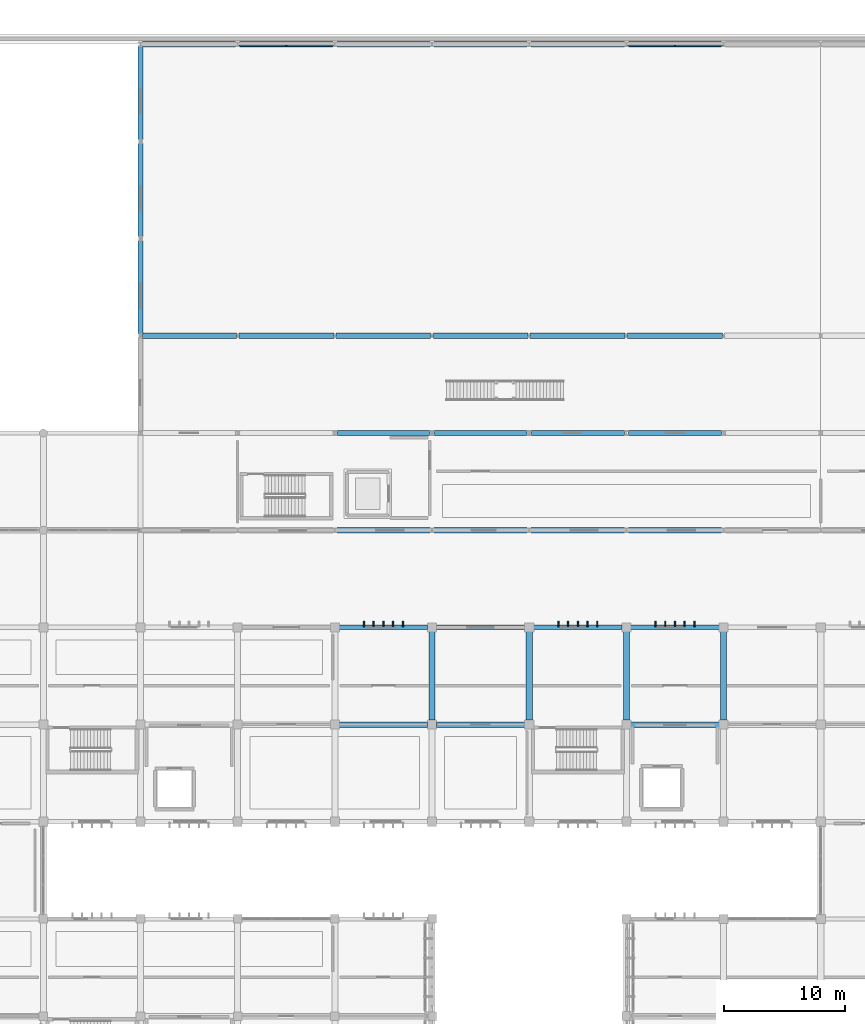
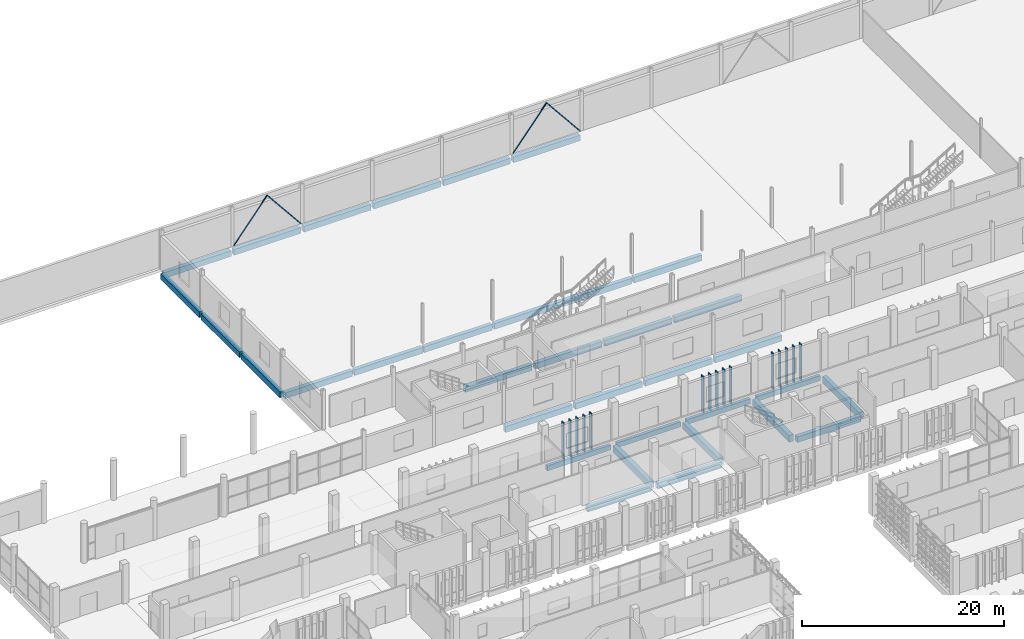
# One storey, part 56 of 117: 34 beams, 19 members.
"""IFC4 building model written with IfcOpenShell, lengths in metres."""

from ifc_helpers import new_model, si_unit, direction, frame, origin, origin_2d, place, context, subcontext, project, spatial, rectangle, hollow_rectangle, extrude, material, material_profile, profile_set, type_object, element, save


model = new_model("IFC4")

# Units and contexts
model_context = context("Model", 3, precision=1e-05, world=origin(), true_north=direction((0.0, 1.0)))
body_context = subcontext(model_context, "Body", "Model", "MODEL_VIEW")
ifc_project = project(units=[si_unit("LENGTHUNIT", "METRE"), si_unit("AREAUNIT", "SQUARE_METRE"), si_unit("VOLUMEUNIT", "CUBIC_METRE"), si_unit("PLANEANGLEUNIT", "RADIAN"), si_unit("MASSUNIT", "GRAM", prefix="KILO")], contexts=[model_context])

# Site, building, storey
site_placement = place(None, origin())
site = spatial("IfcSite", under=ifc_project, at=site_placement, CompositionType="ELEMENT")
building_placement = place(site_placement, origin())
building = spatial("IfcBuilding", under=site, at=building_placement, Name="Jelvoka-Kovrelna Polytechnic", CompositionType="ELEMENT")
storey_placement = place(building_placement, origin())
storey = spatial("IfcBuildingStorey", under=building, at=storey_placement, Name="L01", CompositionType="ELEMENT", Elevation=0.0)

# Beams
ifc_material_1 = material(Name="Concrete C40/50", Category="concrete")
ifc_material_profile_1 = material_profile(ifc_material_1, rectangle(XDim=0.449951171875, YDim=0.699951171875, at=origin_2d()), Name="RC 450x700")
ifc_profile_set_1 = profile_set([ifc_material_profile_1], Name="Concrete C40/50")
beam_type_1 = type_object("IfcBeamType", Name="Beam_RC_450x700", PredefinedType="BEAM", material=ifc_profile_set_1)
beam_1_placement = place(storey_placement, frame((88.164306640625, 96.0, -0.760009765625), z_axis=(1.0, 0.0, 0.0), x_axis=(0.0, 1.0, 0.0)))
element("IfcBeam", 1, at=beam_1_placement, inside=storey, type_object=beam_type_1, Name="L01 beam 0003", PredefinedType="BEAM", context=body_context, shape_type="SweptSolid", body=[
    extrude(rectangle(XDim=0.449951171875, YDim=0.699951171875, at=origin_2d()), origin(), (0.0, 0.0, 1.0), 7.728271484375),
])
beam_2_placement = place(storey_placement, frame((88.164306640625, 120.0, -0.760009765625), z_axis=(1.0, 0.0, 0.0), x_axis=(0.0, 1.0, 0.0)))
element("IfcBeam", 2, at=beam_2_placement, inside=storey, type_object=beam_type_1, Name="L01 beam 0004", PredefinedType="BEAM", context=body_context, shape_type="SweptSolid", body=[
    extrude(rectangle(XDim=0.449951171875, YDim=0.699951171875, at=origin_2d()), origin(), (0.0, 0.0, 1.0), 7.67138671875),
])
beam_3_placement = place(storey_placement, frame((96.107421875, 96.0, -0.760009765625), z_axis=(1.0, 0.0, 0.0), x_axis=(0.0, 1.0, 0.0)))
element("IfcBeam", 3, at=beam_3_placement, inside=storey, type_object=beam_type_1, Name="L01 beam 0008", PredefinedType="BEAM", context=body_context, shape_type="SweptSolid", body=[
    extrude(rectangle(XDim=0.449951171875, YDim=0.699951171875, at=origin_2d()), origin(), (0.0, 0.0, 1.0), 7.8095703125),
])
for number, where, z_axis, x_axis, name in (
    (4, (96.164306640625, 120.0, -0.760009765625), (1.0, 0.0, 0.0), (0.0, 1.0, 0.0), "L01 beam 0009"),
    (5, (104.164306640625, 80.0, -0.760009765625), (1.0, 0.0, 0.0), (0.0, 1.0, 0.0), "L01 beam 0011"),
    (6, (104.164306640625, 88.0, -0.760009765625), (1.0, 0.0, 0.0), (0.0, 1.0, 0.0), "L01 beam 0012"),
):
    element("IfcBeam", number, at=place(storey_placement, frame(where, z_axis=z_axis, x_axis=x_axis)), inside=storey, type_object=beam_type_1, Name=name, PredefinedType="BEAM", context=body_context, shape_type="SweptSolid", body=[
        extrude(rectangle(XDim=0.449951171875, YDim=0.699951171875, at=origin_2d()), origin(), (0.0, 0.0, 1.0), 7.67138671875),
    ])
beam_4_placement = place(storey_placement, frame((104.0830078125, 96.0, -0.760009765625), z_axis=(1.0, 0.0, 0.0), x_axis=(0.0, 1.0, 0.0)))
element("IfcBeam", 7, at=beam_4_placement, inside=storey, type_object=beam_type_1, Name="L01 beam 0013", PredefinedType="BEAM", context=body_context, shape_type="SweptSolid", body=[
    extrude(rectangle(XDim=0.449951171875, YDim=0.699951171875, at=origin_2d()), origin(), (0.0, 0.0, 1.0), 7.8095703125),
])
for number, where, z_axis, x_axis, name in (
    (8, (104.164306640625, 120.0, -0.760009765625), (1.0, 0.0, 0.0), (0.0, 1.0, 0.0), "L01 beam 0014"),
    (9, (112.164306640625, 80.0, -0.760009765625), (1.0, 0.0, 0.0), (0.0, 1.0, 0.0), "L01 beam 0016"),
    (10, (112.164306640625, 88.0, -0.760009765625), (1.0, 0.0, 0.0), (0.0, 1.0, 0.0), "L01 beam 0017"),
):
    element("IfcBeam", number, at=place(storey_placement, frame(where, z_axis=z_axis, x_axis=x_axis)), inside=storey, type_object=beam_type_1, Name=name, PredefinedType="BEAM", context=body_context, shape_type="SweptSolid", body=[
        extrude(rectangle(XDim=0.449951171875, YDim=0.699951171875, at=origin_2d()), origin(), (0.0, 0.0, 1.0), 7.67138671875),
    ])
beam_5_placement = place(storey_placement, frame((112.107421875, 96.0, -0.760009765625), z_axis=(1.0, 0.0, 0.0), x_axis=(0.0, 1.0, 0.0)))
element("IfcBeam", 11, at=beam_5_placement, inside=storey, type_object=beam_type_1, Name="L01 beam 0018", PredefinedType="BEAM", context=body_context, shape_type="SweptSolid", body=[
    extrude(rectangle(XDim=0.449951171875, YDim=0.699951171875, at=origin_2d()), origin(), (0.0, 0.0, 1.0), 7.8095703125),
])
for number, where, z_axis, x_axis, name in (
    (12, (112.164306640625, 120.0, -0.760009765625), (1.0, 0.0, 0.0), (0.0, 1.0, 0.0), "L01 beam 0019"),
    (13, (120.164306640625, 80.0, -0.760009765625), (1.0, 0.0, 0.0), (0.0, 1.0, 0.0), "L01 beam 0021"),
    (14, (120.164306640625, 88.0, -0.760009765625), (1.0, 0.0, 0.0), (0.0, 1.0, 0.0), "L01 beam 0022"),
):
    element("IfcBeam", number, at=place(storey_placement, frame(where, z_axis=z_axis, x_axis=x_axis)), inside=storey, type_object=beam_type_1, Name=name, PredefinedType="BEAM", context=body_context, shape_type="SweptSolid", body=[
        extrude(rectangle(XDim=0.449951171875, YDim=0.699951171875, at=origin_2d()), origin(), (0.0, 0.0, 1.0), 7.67138671875),
    ])
beam_6_placement = place(storey_placement, frame((120.0830078125, 96.0, -0.760009765625), z_axis=(1.0, 0.0, 0.0), x_axis=(0.0, 1.0, 0.0)))
element("IfcBeam", 15, at=beam_6_placement, inside=storey, type_object=beam_type_1, Name="L01 beam 0023", PredefinedType="BEAM", context=body_context, shape_type="SweptSolid", body=[
    extrude(rectangle(XDim=0.449951171875, YDim=0.699951171875, at=origin_2d()), origin(), (0.0, 0.0, 1.0), 7.8095703125),
])
for number, where, z_axis, x_axis, name in (
    (16, (120.164306640625, 120.0, -0.760009765625), (1.0, 0.0, 0.0), (0.0, 1.0, 0.0), "L01 beam 0024"),
    (17, (128.164306640625, 80.0, -0.760009765625), (1.0, 0.0, 0.0), (0.0, 1.0, 0.0), "L01 beam 0026"),
    (18, (128.164306640625, 88.0, -0.760009765625), (1.0, 0.0, 0.0), (0.0, 1.0, 0.0), "L01 beam 0027"),
):
    element("IfcBeam", number, at=place(storey_placement, frame(where, z_axis=z_axis, x_axis=x_axis)), inside=storey, type_object=beam_type_1, Name=name, PredefinedType="BEAM", context=body_context, shape_type="SweptSolid", body=[
        extrude(rectangle(XDim=0.449951171875, YDim=0.699951171875, at=origin_2d()), origin(), (0.0, 0.0, 1.0), 7.67138671875),
    ])
beam_7_placement = place(storey_placement, frame((128.107421875, 96.0, -0.760009765625), z_axis=(1.0, 0.0, 0.0), x_axis=(0.0, 1.0, 0.0)))
element("IfcBeam", 19, at=beam_7_placement, inside=storey, type_object=beam_type_1, Name="L01 beam 0028", PredefinedType="BEAM", context=body_context, shape_type="SweptSolid", body=[
    extrude(rectangle(XDim=0.449951171875, YDim=0.699951171875, at=origin_2d()), origin(), (0.0, 0.0, 1.0), 7.8095703125),
])
beam_8_placement = place(storey_placement, frame((128.164306640625, 120.0, -0.760009765625), z_axis=(1.0, 0.0, 0.0), x_axis=(0.0, 1.0, 0.0)))
element("IfcBeam", 20, at=beam_8_placement, inside=storey, type_object=beam_type_1, Name="L01 beam 0029", PredefinedType="BEAM", context=body_context, shape_type="SweptSolid", body=[
    extrude(rectangle(XDim=0.449951171875, YDim=0.699951171875, at=origin_2d()), origin(), (0.0, 0.0, 1.0), 7.67138671875),
])
for number, where, z_axis, x_axis, name in (
    (21, (88.0, 96.15771484375, -0.760009765625), (0.0, 1.0, 0.0), (-1.0, 0.0, 0.0), "L01 beam 0077"),
    (22, (88.0, 104.15771484375, -0.760009765625), (0.0, 1.0, 0.0), (-1.0, 0.0, 0.0), "L01 beam 0081"),
    (23, (88.0, 112.15771484375, -0.760009765625), (0.0, 1.0, 0.0), (-1.0, 0.0, 0.0), "L01 beam 0085"),
):
    element("IfcBeam", number, at=place(storey_placement, frame(where, z_axis=z_axis, x_axis=x_axis)), inside=storey, type_object=beam_type_1, Name=name, PredefinedType="BEAM", context=body_context, shape_type="SweptSolid", body=[
        extrude(rectangle(XDim=0.449951171875, YDim=0.699951171875, at=origin_2d()), origin(), (0.0, 0.0, 1.0), 7.6845703125),
    ])
for number, where, z_axis, x_axis, name in (
    (24, (104.35498046875, 64.0, -0.7548828125), (1.0, 0.0, 0.0), (0.0, 1.0, 0.0), "L01 beam 0455"),
    (25, (112.35498046875, 64.0, -0.7548828125), (1.0, 0.0, 0.0), (0.0, 1.0, 0.0), "L01 beam 0485"),
    (26, (128.35498046875, 64.0, -0.7548828125), (1.0, 0.0, 0.0), (0.0, 1.0, 0.0), "L01 beam 0486"),
):
    element("IfcBeam", number, at=place(storey_placement, frame(where, z_axis=z_axis, x_axis=x_axis)), inside=storey, type_object=beam_type_1, Name=name, PredefinedType="BEAM", context=body_context, shape_type="SweptSolid", body=[
        extrude(rectangle(XDim=0.449951171875, YDim=0.699951171875, at=origin_2d()), origin(), (0.0, 0.0, 1.0), 7.2900390625),
    ])
ifc_material_2 = material(Name="Concrete C40/50", Category="concrete")
ifc_material_profile_2 = material_profile(ifc_material_2, rectangle(XDim=0.5, YDim=0.800048828125, at=origin_2d()), Name="RC 500x800")
ifc_profile_set_2 = profile_set([ifc_material_profile_2], Name="Concrete C40/50")
beam_type_2 = type_object("IfcBeamType", Name="Beam_RC_500x800", PredefinedType="BEAM", material=ifc_profile_set_2)
for number, where, z_axis, x_axis, name in (
    (27, (112.0, 64.35498046875, -0.804931640625), (0.0, 1.0, 0.0), (-1.0, 0.0, 0.0), "L01 beam 0474"),
    (28, (120.0, 64.35498046875, -0.804931640625), (0.0, 1.0, 0.0), (-1.0, 0.0, 0.0), "L01 beam 0504"),
    (29, (128.0, 64.35498046875, -0.804931640625), (0.0, 1.0, 0.0), (-1.0, 0.0, 0.0), "L01 beam 0506"),
    (30, (136.0, 64.35498046875, -0.804931640625), (0.0, 1.0, 0.0), (-1.0, 0.0, 0.0), "L01 beam 0508"),
):
    element("IfcBeam", number, at=place(storey_placement, frame(where, z_axis=z_axis, x_axis=x_axis)), inside=storey, type_object=beam_type_2, Name=name, PredefinedType="BEAM", context=body_context, shape_type="SweptSolid", body=[
        extrude(rectangle(XDim=0.5, YDim=0.800048828125, at=origin_2d()), origin(), (0.0, 0.0, 1.0), 7.2900390625),
    ])

# Members
ifc_material_3 = material(Name="Precast concrete C40/50", Category="concrete")
ifc_material_profile_3 = material_profile(ifc_material_3, rectangle(XDim=0.1201171875, YDim=0.449951171875, at=origin_2d()), Name="PC 120x450")
ifc_profile_set_3 = profile_set([ifc_material_profile_3], Name="Precast concrete C40/50")
member_type_1 = type_object("IfcMemberType", Name="Louvre_Fin_120x450", PredefinedType="USERDEFINED", material=ifc_profile_set_3)
for number, where, z_axis, x_axis, name in (
    (31, (106.39990234375, 72.264892578125, -0.419921875), (0.0, 0.0, 1.0), (1.0, 0.0, 0.0), "L01 B3 north vertical solar louvre fin 1241"),
    (32, (107.199951171875, 72.264892578125, -0.419921875), (0.0, 0.0, 1.0), (1.0, 0.0, 0.0), "L01 B3 north vertical solar louvre fin 1242"),
    (33, (108.0, 72.264892578125, -0.419921875), (0.0, 0.0, 1.0), (1.0, 0.0, 0.0), "L01 B3 north vertical solar louvre fin 1243"),
    (34, (108.800048828125, 72.264892578125, -0.419921875), (0.0, 0.0, 1.0), (1.0, 0.0, 0.0), "L01 B3 north vertical solar louvre fin 1244"),
    (35, (109.60009765625, 72.264892578125, -0.419921875), (0.0, 0.0, 1.0), (1.0, 0.0, 0.0), "L01 B3 north vertical solar louvre fin 1245"),
    (36, (122.39990234375, 72.264892578125, -0.419921875), (0.0, 0.0, 1.0), (1.0, 0.0, 0.0), "L01 B3 north vertical solar louvre fin 1256"),
    (37, (123.199951171875, 72.264892578125, -0.419921875), (0.0, 0.0, 1.0), (1.0, 0.0, 0.0), "L01 B3 north vertical solar louvre fin 1257"),
    (38, (124.0, 72.264892578125, -0.419921875), (0.0, 0.0, 1.0), (1.0, 0.0, 0.0), "L01 B3 north vertical solar louvre fin 1258"),
    (39, (124.800048828125, 72.264892578125, -0.419921875), (0.0, 0.0, 1.0), (1.0, 0.0, 0.0), "L01 B3 north vertical solar louvre fin 1259"),
    (40, (125.60009765625, 72.264892578125, -0.419921875), (0.0, 0.0, 1.0), (1.0, 0.0, 0.0), "L01 B3 north vertical solar louvre fin 1260"),
    (41, (130.39990234375, 72.264892578125, -0.419921875), (0.0, 0.0, 1.0), (1.0, 0.0, 0.0), "L01 B3 north vertical solar louvre fin 1266"),
    (42, (131.199951171875, 72.264892578125, -0.419921875), (0.0, 0.0, 1.0), (1.0, 0.0, 0.0), "L01 B3 north vertical solar louvre fin 1267"),
    (43, (132.0, 72.264892578125, -0.419921875), (0.0, 0.0, 1.0), (1.0, 0.0, 0.0), "L01 B3 north vertical solar louvre fin 1268"),
    (44, (132.800048828125, 72.264892578125, -0.419921875), (0.0, 0.0, 1.0), (1.0, 0.0, 0.0), "L01 B3 north vertical solar louvre fin 1269"),
    (45, (133.60009765625, 72.264892578125, -0.419921875), (0.0, 0.0, 1.0), (1.0, 0.0, 0.0), "L01 B3 north vertical solar louvre fin 1270"),
):
    element("IfcMember", number, at=place(storey_placement, frame(where, z_axis=z_axis, x_axis=x_axis)), inside=storey, type_object=member_type_1, Name=name, ObjectType="SUNSHADE", PredefinedType="USERDEFINED", context=body_context, shape_type="SweptSolid", body=[
        extrude(rectangle(XDim=0.1201171875, YDim=0.449951171875, at=origin_2d()), origin(), (0.0, 0.0, 1.0), 4.3798828125),
    ])
ifc_material_4 = material(Name="Structural steel S355J2H", Category="steel")
ifc_material_profile_4 = material_profile(ifc_material_4, hollow_rectangle(XDim=0.1201171875, YDim=0.1201171875, WallThickness=0.008056640625, InnerFilletRadius=0.008056640625, OuterFilletRadius=0.011962890625, at=origin_2d()), Name="120x120x8.0 SHS")
ifc_profile_set_4 = profile_set([ifc_material_profile_4], Name="Structural steel S355J2H")
member_type_2 = type_object("IfcMemberType", Name="Member_Brace_SHS120", PredefinedType="BRACE", material=ifc_profile_set_4)
for number, where, z_axis, x_axis, name in (
    (46, (96.14990234375, 119.8798828125, 0.02001953125), (0.628878112356, 0.0, 0.777503903399), (0.0, 1.0, 0.0), "L01 workshop vertical wall K-brace 0231"),
    (47, (103.85009765625, 119.8798828125, 0.02001953125), (-0.628878112356, 0.0, 0.777503903399), (0.0, -1.0, 0.0), "L01 workshop vertical wall K-brace 0232"),
    (48, (128.14990234375, 119.8798828125, 0.02001953125), (0.628878112356, 0.0, 0.777503903399), (0.0, 1.0, 0.0), "L01 workshop vertical wall K-brace 0235"),
    (49, (135.85009765625, 119.8798828125, 0.02001953125), (-0.628878112356, 0.0, 0.777503903399), (0.0, -1.0, 0.0), "L01 workshop vertical wall K-brace 0236"),
):
    element("IfcMember", number, at=place(storey_placement, frame(where, z_axis=z_axis, x_axis=x_axis)), inside=storey, type_object=member_type_2, Name=name, PredefinedType="BRACE", context=body_context, shape_type="SweptSolid", body=[
        extrude(hollow_rectangle(XDim=0.1201171875, YDim=0.1201171875, WallThickness=0.008056640625, InnerFilletRadius=0.008056640625, OuterFilletRadius=0.011962890625, at=origin_2d()), origin(), (0.0, 0.0, 1.0), 6.1220703125),
    ])

# Beams
ifc_material_5 = material(Name="Concrete C40/50", Category="concrete")
ifc_material_profile_5 = material_profile(ifc_material_5, rectangle(XDim=0.35009765625, YDim=0.60009765625, at=origin_2d()), Name="RC 350x600")
ifc_profile_set_5 = profile_set([ifc_material_profile_5], Name="Concrete C40/50")
beam_type_3 = type_object("IfcBeamType", Name="Spandrel_RC_350x600", PredefinedType="SPANDREL", material=ifc_profile_set_5)
for number, where, z_axis, x_axis, name in (
    (50, (104.35498046875, 72.0, -0.705078125), (1.0, 0.0, 0.0), (0.0, 1.0, 0.0), "L01 beam 0458"),
    (51, (112.35498046875, 72.0, -0.705078125), (1.0, 0.0, 0.0), (0.0, 1.0, 0.0), "L01 beam 0493"),
    (52, (120.35498046875, 72.0, -0.705078125), (1.0, 0.0, 0.0), (0.0, 1.0, 0.0), "L01 beam 0494"),
    (53, (128.35498046875, 72.0, -0.705078125), (1.0, 0.0, 0.0), (0.0, 1.0, 0.0), "L01 beam 0495"),
):
    element("IfcBeam", number, at=place(storey_placement, frame(where, z_axis=z_axis, x_axis=x_axis)), inside=storey, type_object=beam_type_3, Name=name, PredefinedType="SPANDREL", context=body_context, shape_type="SweptSolid", body=[
        extrude(rectangle(XDim=0.35009765625, YDim=0.60009765625, at=origin_2d()), origin(), (0.0, 0.0, 1.0), 7.2900390625),
    ])

save(model, "model.ifc")
